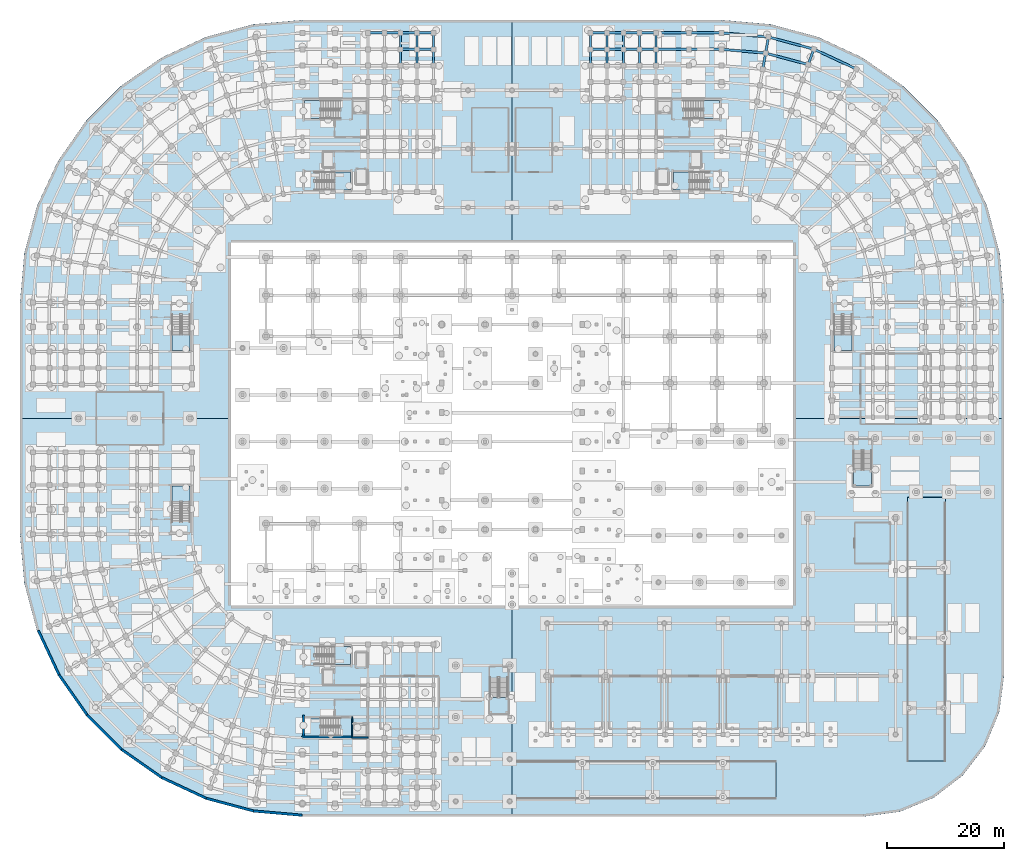
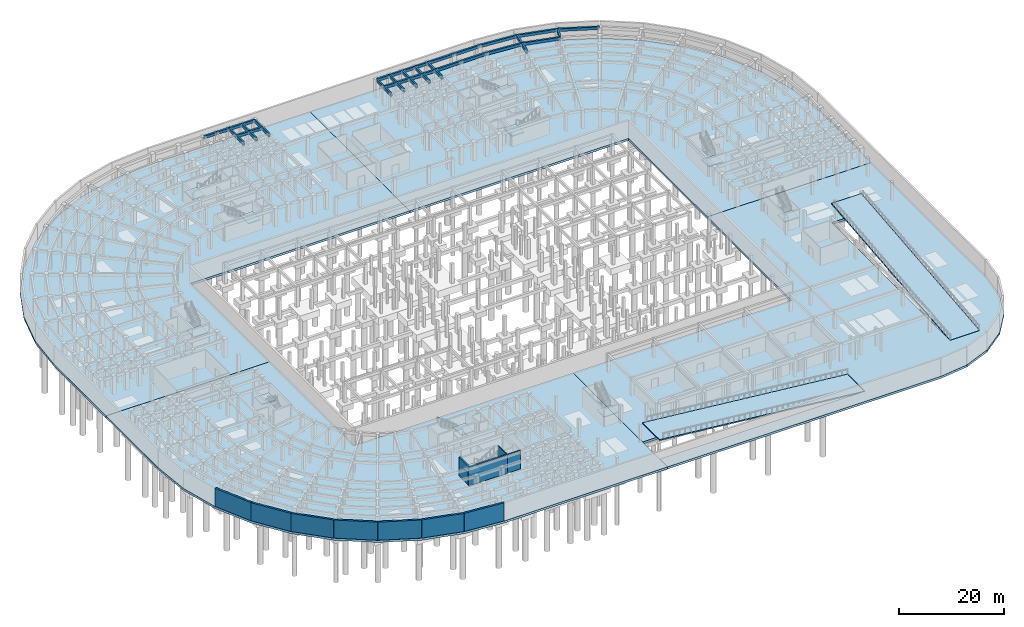
# One storey, part 29 of 53: 42 beams, 17 slabs, 11 walls, 11 elements without a shape of their own.
"""IFC4 building model written with IfcOpenShell, lengths in metres."""

from ifc_helpers import new_model, si_unit, direction, frame, frame_2d, origin, origin_2d, place, context, subcontext, project, spatial, polyline, rectangle, outline, extrude, material, layer, layer_set, material_profile, profile_set, type_object, element, aggregate, save


model = new_model("IFC4")

# Units and contexts
model_context = context("Model", 3, precision=1e-05, world=origin(), true_north=direction((0.0, 1.0)))
body_context = subcontext(model_context, "Body", "Model", "MODEL_VIEW")
ifc_project = project(units=[si_unit("LENGTHUNIT", "METRE"), si_unit("AREAUNIT", "SQUARE_METRE"), si_unit("VOLUMEUNIT", "CUBIC_METRE"), si_unit("PLANEANGLEUNIT", "RADIAN"), si_unit("MASSUNIT", "GRAM", prefix="KILO")], contexts=[model_context])

# Site, building, storey
site_placement = place(None, origin())
site = spatial("IfcSite", under=ifc_project, at=site_placement, CompositionType="ELEMENT")
building_placement = place(site_placement, origin())
building = spatial("IfcBuilding", under=site, at=building_placement, Name="Kiranvali Square Residences", CompositionType="ELEMENT")
storey_placement = place(building_placement, frame((0.0, 0.0, -4.5)))
storey = spatial("IfcBuildingStorey", under=building, at=storey_placement, Name="B1", CompositionType="ELEMENT", Elevation=-4.5)

# Beams
ifc_material_1 = material(Name="Concrete M40 (40 MPa)", Category="concrete")
ifc_material_profile_1 = material_profile(ifc_material_1, rectangle(XDim=0.35009765625, YDim=0.64990234375, at=origin_2d()), Name="RC 350x650")
ifc_profile_set_1 = profile_set([ifc_material_profile_1], Name="Concrete M40 (40 MPa)")
beam_type_1 = type_object("IfcBeamType", Name="BM-M40-350x650", PredefinedType="BEAM", material=ifc_profile_set_1)
for number, where, z_axis, x_axis, name in (
    (1, (65.0, 128.199951171875, 3.955078125), (0.0, 1.0, 0.0), (-1.0, 0.0, 0.0), "B1 beam BM-A-B1-A1T3-56"),
    (2, (65.0, 131.0, 3.955078125), (0.0, 1.0, 0.0), (-1.0, 0.0, 0.0), "B1 beam BM-A-B1-A1T3-67"),
    (3, (67.800048828125, 128.199951171875, 3.955078125), (0.0, 1.0, 0.0), (-1.0, 0.0, 0.0), "B1 beam BM-A-B1-A1T4-56"),
    (4, (67.800048828125, 131.0, 3.955078125), (0.0, 1.0, 0.0), (-1.0, 0.0, 0.0), "B1 beam BM-A-B1-A1T4-67"),
    (5, (70.60009765625, 128.199951171875, 3.955078125), (0.0, 1.0, 0.0), (-1.0, 0.0, 0.0), "B1 beam BM-A-B1-A1T5-56"),
    (6, (70.60009765625, 131.0, 3.955078125), (0.0, 1.0, 0.0), (-1.0, 0.0, 0.0), "B1 beam BM-A-B1-A1T5-67"),
    (7, (108.60009765625, 128.199951171875, 3.955078125), (0.0, 1.0, 0.0), (-1.0, 0.0, 0.0), "B1 beam BM-B-B1-A1T1-56"),
    (8, (108.60009765625, 131.0, 3.955078125), (0.0, 1.0, 0.0), (-1.0, 0.0, 0.0), "B1 beam BM-B-B1-A1T1-67"),
    (9, (105.800048828125, 128.199951171875, 3.955078125), (0.0, 1.0, 0.0), (-1.0, 0.0, 0.0), "B1 beam BM-B-B1-A1T2-56"),
    (10, (105.800048828125, 131.0, 3.955078125), (0.0, 1.0, 0.0), (-1.0, 0.0, 0.0), "B1 beam BM-B-B1-A1T2-67"),
    (11, (103.0, 128.199951171875, 3.955078125), (0.0, 1.0, 0.0), (-1.0, 0.0, 0.0), "B1 beam BM-B-B1-A1T3-56"),
    (12, (103.0, 131.0, 3.955078125), (0.0, 1.0, 0.0), (-1.0, 0.0, 0.0), "B1 beam BM-B-B1-A1T3-67"),
    (13, (100.199951171875, 128.199951171875, 3.955078125), (0.0, 1.0, 0.0), (-1.0, 0.0, 0.0), "B1 beam BM-B-B1-A1T4-56"),
    (14, (100.199951171875, 131.0, 3.955078125), (0.0, 1.0, 0.0), (-1.0, 0.0, 0.0), "B1 beam BM-B-B1-A1T4-67"),
    (15, (97.39990234375, 128.199951171875, 3.955078125), (0.0, 1.0, 0.0), (-1.0, 0.0, 0.0), "B1 beam BM-B-B1-A1T5-56"),
    (16, (97.39990234375, 131.0, 3.955078125), (0.0, 1.0, 0.0), (-1.0, 0.0, 0.0), "B1 beam BM-B-B1-A1T5-67"),
):
    element("IfcBeam", number, at=place(storey_placement, frame(where, z_axis=z_axis, x_axis=x_axis)), inside=storey, type_object=beam_type_1, Name=name, PredefinedType="BEAM", context=body_context, shape_type="SweptSolid", body=[
        extrude(rectangle(XDim=0.35009765625, YDim=0.64990234375, at=origin_2d()), origin(), (0.0, 0.0, 1.0), 2.800048828125),
    ])
ifc_material_2 = material(Name="Concrete M45 (45 MPa)", Category="concrete")
ifc_material_profile_2 = material_profile(ifc_material_2, rectangle(XDim=0.39990234375, YDim=0.64990234375, at=origin_2d()), Name="RC 400x650")
ifc_profile_set_2 = profile_set([ifc_material_profile_2], Name="Concrete M45 (45 MPa)")
beam_type_2 = type_object("IfcBeamType", Name="BM-M45-400x650", PredefinedType="BEAM", material=ifc_profile_set_2)
for number, where, z_axis, x_axis, name in (
    (17, (65.0, 131.0, 3.955078125), (1.0, 0.0, 0.0), (0.0, 1.0, 0.0), "B1 beam BM-A-B1-A1U4-R6"),
    (18, (67.800048828125, 131.0, 3.955078125), (1.0, 0.0, 0.0), (0.0, 1.0, 0.0), "B1 beam BM-A-B1-A1U5-R6"),
    (19, (59.39990234375, 133.800048828125, 3.955078125), (1.0, 0.0, 0.0), (0.0, 1.0, 0.0), "B1 beam BM-A-B1-A1U2-R7"),
    (20, (62.199951171875, 133.800048828125, 3.955078125), (1.0, 0.0, 0.0), (0.0, 1.0, 0.0), "B1 beam BM-A-B1-A1U3-R7"),
    (21, (65.0, 133.800048828125, 3.955078125), (1.0, 0.0, 0.0), (0.0, 1.0, 0.0), "B1 beam BM-A-B1-A1U4-R7"),
    (22, (67.800048828125, 133.800048828125, 3.955078125), (1.0, 0.0, 0.0), (0.0, 1.0, 0.0), "B1 beam BM-A-B1-A1U5-R7"),
):
    element("IfcBeam", number, at=place(storey_placement, frame(where, z_axis=z_axis, x_axis=x_axis)), inside=storey, type_object=beam_type_2, Name=name, PredefinedType="BEAM", context=body_context, shape_type="SweptSolid", body=[
        extrude(rectangle(XDim=0.39990234375, YDim=0.64990234375, at=origin_2d()), origin(), (0.0, 0.0, 1.0), 2.800048828125),
    ])
beam_1_placement = place(storey_placement, frame((119.800048828125, 131.0, 3.955078125), z_axis=(0.996195195417, -0.087150058103, 0.0), x_axis=(0.087150058103, 0.996195195417, 0.0)))
element("IfcBeam", 23, at=beam_1_placement, inside=storey, type_object=beam_type_2, Name="B1 beam BM-B-B1-C00-R6", PredefinedType="BEAM", context=body_context, shape_type="SweptSolid", body=[
    extrude(rectangle(XDim=0.39990234375, YDim=0.64990234375, at=origin_2d()), origin(), (0.0, 0.0, 1.0), 7.530029296875),
])
beam_2_placement = place(storey_placement, frame((119.800048828125, 133.800048828125, 3.955078125), z_axis=(0.996193254792, -0.087172238171, 0.0), x_axis=(0.087172238171, 0.996193254792, 0.0)))
element("IfcBeam", 24, at=beam_2_placement, inside=storey, type_object=beam_type_2, Name="B1 beam BM-B-B1-C00-R7", PredefinedType="BEAM", context=body_context, shape_type="SweptSolid", body=[
    extrude(rectangle(XDim=0.39990234375, YDim=0.64990234375, at=origin_2d()), origin(), (0.0, 0.0, 1.0), 8.018310546875),
])
beam_3_placement = place(storey_placement, frame((127.301513671875, 130.34375, 3.955078125), z_axis=(0.965925909693, -0.258818733833, 0.0), x_axis=(0.258818733833, 0.965925909693, 0.0)))
element("IfcBeam", 25, at=beam_3_placement, inside=storey, type_object=beam_type_2, Name="B1 beam BM-B-B1-C01-R6", PredefinedType="BEAM", context=body_context, shape_type="SweptSolid", body=[
    extrude(rectangle(XDim=0.39990234375, YDim=0.64990234375, at=origin_2d()), origin(), (0.0, 0.0, 1.0), 7.5302734375),
])
for number, where, z_axis, x_axis, name in (
    (26, (127.787841796875, 133.10107421875, 3.955078125), (0.96592902462, -0.258807108475, 0.0), (0.258807108475, 0.96592902462, 0.0), "B1 beam BM-B-B1-C01-R7"),
    (27, (135.532958984375, 131.02587890625, 3.955078125), (0.906309113636, -0.422615416827, 0.0), (0.422615416827, 0.906309113636, 0.0), "B1 beam BM-B-B1-C02-R7"),
):
    element("IfcBeam", number, at=place(storey_placement, frame(where, z_axis=z_axis, x_axis=x_axis)), inside=storey, type_object=beam_type_2, Name=name, PredefinedType="BEAM", context=body_context, shape_type="SweptSolid", body=[
        extrude(rectangle(XDim=0.39990234375, YDim=0.64990234375, at=origin_2d()), origin(), (0.0, 0.0, 1.0), 8.018310546875),
    ])
beam_4_placement = place(storey_placement, frame((126.8154296875, 127.586181640625, 3.955078125), z_axis=(0.173596320392, 0.984816895441, 0.0), x_axis=(-0.984816895441, 0.173596320392, 0.0)))
element("IfcBeam", 28, at=beam_4_placement, inside=storey, type_object=beam_type_2, Name="B1 beam BM-B-B1-RAD01-56", PredefinedType="BEAM", context=body_context, shape_type="SweptSolid", body=[
    extrude(rectangle(XDim=0.39990234375, YDim=0.64990234375, at=origin_2d()), origin(), (0.0, 0.0, 1.0), 2.800048828125),
])
beam_5_placement = place(storey_placement, frame((127.301513671875, 130.34375, 3.955078125), z_axis=(0.173695795656, 0.984799355489, 0.0), x_axis=(-0.984799355489, 0.173695795656, 0.0)))
element("IfcBeam", 29, at=beam_5_placement, inside=storey, type_object=beam_type_2, Name="B1 beam BM-B-B1-RAD01-67", PredefinedType="BEAM", context=body_context, shape_type="SweptSolid", body=[
    extrude(rectangle(XDim=0.39990234375, YDim=0.64990234375, at=origin_2d()), origin(), (0.0, 0.0, 1.0), 2.7998046875),
])
beam_6_placement = place(storey_placement, frame((134.5751953125, 128.394775390625, 3.955078125), z_axis=(0.342058084236, 0.939678810556, 0.0), x_axis=(-0.939678810556, 0.342058084236, 0.0)))
element("IfcBeam", 30, at=beam_6_placement, inside=storey, type_object=beam_type_2, Name="B1 beam BM-B-B1-RAD02-67", PredefinedType="BEAM", context=body_context, shape_type="SweptSolid", body=[
    extrude(rectangle(XDim=0.39990234375, YDim=0.64990234375, at=origin_2d()), origin(), (0.0, 0.0, 1.0), 2.800048828125),
])
beam_7_placement = place(storey_placement, frame((119.800048828125, 131.0, 3.955078125), z_axis=(-1.0, 0.0, 0.0), x_axis=(0.0, -1.0, 0.0)))
element("IfcBeam", 31, at=beam_7_placement, inside=storey, type_object=beam_type_2, Name="B1 beam BM-B-B1-A1U0-R6", PredefinedType="BEAM", context=body_context, shape_type="SweptSolid", body=[
    extrude(rectangle(XDim=0.39990234375, YDim=0.64990234375, at=origin_2d()), origin(), (0.0, 0.0, 1.0), 5.60009765625),
])
beam_8_placement = place(storey_placement, frame((114.199951171875, 131.0, 3.955078125), z_axis=(-1.0, 0.0, 0.0), x_axis=(0.0, -1.0, 0.0)))
element("IfcBeam", 32, at=beam_8_placement, inside=storey, type_object=beam_type_2, Name="B1 beam BM-B-B1-A1U1-R6", PredefinedType="BEAM", context=body_context, shape_type="SweptSolid", body=[
    extrude(rectangle(XDim=0.39990234375, YDim=0.64990234375, at=origin_2d()), origin(), (0.0, 0.0, 1.0), 5.599853515625),
])
for number, where, z_axis, x_axis, name in (
    (33, (108.60009765625, 131.0, 3.955078125), (-1.0, 0.0, 0.0), (0.0, -1.0, 0.0), "B1 beam BM-B-B1-A1U2-R6"),
    (34, (105.800048828125, 131.0, 3.955078125), (-1.0, 0.0, 0.0), (0.0, -1.0, 0.0), "B1 beam BM-B-B1-A1U3-R6"),
    (35, (103.0, 131.0, 3.955078125), (-1.0, 0.0, 0.0), (0.0, -1.0, 0.0), "B1 beam BM-B-B1-A1U4-R6"),
    (36, (100.199951171875, 131.0, 3.955078125), (-1.0, 0.0, 0.0), (0.0, -1.0, 0.0), "B1 beam BM-B-B1-A1U5-R6"),
):
    element("IfcBeam", number, at=place(storey_placement, frame(where, z_axis=z_axis, x_axis=x_axis)), inside=storey, type_object=beam_type_2, Name=name, PredefinedType="BEAM", context=body_context, shape_type="SweptSolid", body=[
        extrude(rectangle(XDim=0.39990234375, YDim=0.64990234375, at=origin_2d()), origin(), (0.0, 0.0, 1.0), 2.800048828125),
    ])
beam_9_placement = place(storey_placement, frame((119.800048828125, 133.800048828125, 3.955078125), z_axis=(-1.0, 0.0, 0.0), x_axis=(0.0, -1.0, 0.0)))
element("IfcBeam", 37, at=beam_9_placement, inside=storey, type_object=beam_type_2, Name="B1 beam BM-B-B1-A1U0-R7", PredefinedType="BEAM", context=body_context, shape_type="SweptSolid", body=[
    extrude(rectangle(XDim=0.39990234375, YDim=0.64990234375, at=origin_2d()), origin(), (0.0, 0.0, 1.0), 5.60009765625),
])
beam_10_placement = place(storey_placement, frame((114.199951171875, 133.800048828125, 3.955078125), z_axis=(-1.0, 0.0, 0.0), x_axis=(0.0, -1.0, 0.0)))
element("IfcBeam", 38, at=beam_10_placement, inside=storey, type_object=beam_type_2, Name="B1 beam BM-B-B1-A1U1-R7", PredefinedType="BEAM", context=body_context, shape_type="SweptSolid", body=[
    extrude(rectangle(XDim=0.39990234375, YDim=0.64990234375, at=origin_2d()), origin(), (0.0, 0.0, 1.0), 5.599853515625),
])
for number, where, z_axis, x_axis, name in (
    (39, (108.60009765625, 133.800048828125, 3.955078125), (-1.0, 0.0, 0.0), (0.0, -1.0, 0.0), "B1 beam BM-B-B1-A1U2-R7"),
    (40, (105.800048828125, 133.800048828125, 3.955078125), (-1.0, 0.0, 0.0), (0.0, -1.0, 0.0), "B1 beam BM-B-B1-A1U3-R7"),
    (41, (103.0, 133.800048828125, 3.955078125), (-1.0, 0.0, 0.0), (0.0, -1.0, 0.0), "B1 beam BM-B-B1-A1U4-R7"),
    (42, (100.199951171875, 133.800048828125, 3.955078125), (-1.0, 0.0, 0.0), (0.0, -1.0, 0.0), "B1 beam BM-B-B1-A1U5-R7"),
):
    element("IfcBeam", number, at=place(storey_placement, frame(where, z_axis=z_axis, x_axis=x_axis)), inside=storey, type_object=beam_type_2, Name=name, PredefinedType="BEAM", context=body_context, shape_type="SweptSolid", body=[
        extrude(rectangle(XDim=0.39990234375, YDim=0.64990234375, at=origin_2d()), origin(), (0.0, 0.0, 1.0), 2.800048828125),
    ])

# Slabs
ifc_layer_1 = layer(ifc_material_1, 0.5)
ifc_layer_set_1 = layer_set([ifc_layer_1], Name="Concrete M40 (40 MPa)")
slab_type_1 = type_object("IfcSlabType", Name="SLB-BASE-500", PredefinedType="BASESLAB", material=ifc_layer_set_1)
slab_1_placement = place(storey_placement, frame((0.0, 0.0, -0.5)))
element("IfcSlab", 43, at=slab_1_placement, inside=storey, type_object=slab_type_1, Name="Shaped basement B1 base slab SLB-B1-SW", PredefinedType="BASESLAB", context=body_context, shape_type="SweptSolid", body=[
    extrude(outline(polyline([(48.199951171875, 0.0), (39.830078125, 0.732177734375), (31.714599609375, 2.90673828125), (24.10009765625, 6.45751953125), (17.217529296875, 11.276611328125), (11.276611328125, 17.217529296875), (6.45751953125, 24.10009765625), (2.90673828125, 31.714599609375), (0.732177734375, 39.830078125), (0.0, 48.199951171875), (0.0, 68.0), (36.0, 68.0), (36.0, 36.0), (84.0, 36.0), (84.0, 9.5), (84.0, 3.0), (84.0, 0.0), (48.199951171875, 0.0)])), origin(), (0.0, 0.0, 1.0), 0.5),
])
slab_2_placement = place(storey_placement, frame((0.0, 0.0, -0.5)))
element("IfcSlab", 44, at=slab_2_placement, inside=storey, type_object=slab_type_1, Name="Shaped basement B1 base slab SLB-B1-SE", PredefinedType="BASESLAB", context=body_context, shape_type="SweptSolid", body=[
    extrude(outline(polyline([(168.0, 24.0), (167.18212890625, 17.788330078125), (164.78466796875, 12.0), (160.970458984375, 7.029541015625), (156.0, 3.21533203125), (150.211669921875, 0.81787109375), (144.0, 0.0), (84.0, 0.0), (84.0, 3.0), (129.034912109375, 3.0), (129.034912109375, 9.5), (84.0, 9.5), (84.0, 36.0), (132.0, 36.0), (132.0, 68.0), (168.0, 68.0), (168.0, 24.0)]), holes=[polyline([(158.0, 9.465087890625), (158.0, 54.5), (151.5, 54.5), (151.5, 9.465087890625), (158.0, 9.465087890625)])]), origin(), (0.0, 0.0, 1.0), 0.5),
])
slab_3_placement = place(storey_placement, frame((0.0, 0.0, -0.5)))
element("IfcSlab", 45, at=slab_3_placement, inside=storey, type_object=slab_type_1, Name="Shaped basement B1 base slab SLB-B1-NE", PredefinedType="BASESLAB", context=body_context, shape_type="SweptSolid", body=[
    extrude(outline(polyline([(119.800048828125, 136.0), (128.169921875, 135.267822265625), (136.285400390625, 133.09326171875), (143.89990234375, 129.54248046875), (150.782470703125, 124.723388671875), (156.723388671875, 118.782470703125), (161.54248046875, 111.89990234375), (165.09326171875, 104.285400390625), (167.267822265625, 96.169921875), (168.0, 87.800048828125), (168.0, 68.0), (132.0, 68.0), (132.0, 98.0), (84.0, 98.0), (84.0, 136.0), (119.800048828125, 136.0)])), origin(), (0.0, 0.0, 1.0), 0.5),
])
slab_4_placement = place(storey_placement, frame((0.0, 0.0, -0.5)))
element("IfcSlab", 46, at=slab_4_placement, inside=storey, type_object=slab_type_1, Name="Shaped basement B1 base slab SLB-B1-NW", PredefinedType="BASESLAB", context=body_context, shape_type="SweptSolid", body=[
    extrude(outline(polyline([(0.732177734375, 96.169921875), (2.90673828125, 104.285400390625), (6.45751953125, 111.89990234375), (11.276611328125, 118.782470703125), (17.217529296875, 124.723388671875), (24.10009765625, 129.54248046875), (31.714599609375, 133.09326171875), (39.830078125, 135.267822265625), (48.199951171875, 136.0), (84.0, 136.0), (84.0, 98.0), (36.0, 98.0), (36.0, 68.0), (0.0, 68.0), (0.0, 87.800048828125), (0.732177734375, 96.169921875)])), origin(), (0.0, 0.0, 1.0), 0.5),
])

# Stair, slab
ifc_material_3 = material(Name="Concrete M35 (35 MPa)", Category="concrete")
stair_type = type_object("IfcStairType", Name="ST-CORE-1700", PredefinedType="HALF_TURN_STAIR", material=ifc_material_3)
stair_1_placement = place(storey_placement, origin())
stair_1 = element("IfcStair", 47, at=stair_1_placement, inside=storey, type_object=stair_type, Name="B1 Block A Firefighting Exit Stair 1", PredefinedType="HALF_TURN_STAIR")
ifc_layer_2 = layer(ifc_material_3, 0.199951171875)
ifc_layer_set_2 = layer_set([ifc_layer_2], Name="Concrete M35 (35 MPa)")
slab_type_2 = type_object("IfcSlabType", Name="SLB-LND-200", PredefinedType="LANDING", material=ifc_layer_set_2)
slab_5_placement = place(storey_placement, frame((0.0, 0.0, 2.050048828125)))
slab_5 = element("IfcSlab", 48, at=slab_5_placement, type_object=slab_type_2, Name="ST-A1 landing 1", PredefinedType="LANDING", context=body_context, shape_type="SweptSolid", body=[
    extrude(outline(polyline([(51.280029296875, 122.25), (48.550048828125, 122.25), (48.550048828125, 119.14990234375), (51.280029296875, 119.14990234375), (51.280029296875, 122.25)])), origin(), (0.0, 0.0, 1.0), 0.199951171875),
])
aggregate(stair_1, [slab_5])

stair_2_placement = place(storey_placement, origin())
stair_2 = element("IfcStair", 49, at=stair_2_placement, inside=storey, type_object=stair_type, Name="B1 Block A Protected Exit Stair 2", PredefinedType="HALF_TURN_STAIR")
slab_6_placement = place(storey_placement, frame((0.0, 0.0, 2.050048828125)))
slab_6 = element("IfcSlab", 50, at=slab_6_placement, type_object=slab_type_2, Name="ST-A2 landing 1", PredefinedType="LANDING", context=body_context, shape_type="SweptSolid", body=[
    extrude(outline(polyline([(53.719970703125, 106.949951171875), (56.449951171875, 106.949951171875), (56.449951171875, 110.050048828125), (53.719970703125, 110.050048828125), (53.719970703125, 106.949951171875)])), origin(), (0.0, 0.0, 1.0), 0.199951171875),
])
aggregate(stair_2, [slab_6])

stair_3_placement = place(storey_placement, origin())
stair_3 = element("IfcStair", 51, at=stair_3_placement, inside=storey, type_object=stair_type, Name="B1 Block A Wing Protected Exit Stair 3", PredefinedType="HALF_TURN_STAIR")
slab_7_placement = place(storey_placement, frame((0.0, 0.0, 2.050048828125)))
slab_7 = element("IfcSlab", 52, at=slab_7_placement, type_object=slab_type_2, Name="ST-A3 landing 1", PredefinedType="LANDING", context=body_context, shape_type="SweptSolid", body=[
    extrude(outline(polyline([(25.949951171875, 82.280029296875), (25.949951171875, 79.550048828125), (29.050048828125, 79.550048828125), (29.050048828125, 82.280029296875), (25.949951171875, 82.280029296875)])), origin(), (0.0, 0.0, 1.0), 0.199951171875),
])
aggregate(stair_3, [slab_7])

stair_4_placement = place(storey_placement, origin())
stair_4 = element("IfcStair", 53, at=stair_4_placement, inside=storey, type_object=stair_type, Name="B1 Block B Firefighting Exit Stair 1", PredefinedType="HALF_TURN_STAIR")
slab_8_placement = place(storey_placement, frame((0.0, 0.0, 2.050048828125)))
slab_8 = element("IfcSlab", 54, at=slab_8_placement, type_object=slab_type_2, Name="ST-B1 landing 1", PredefinedType="LANDING", context=body_context, shape_type="SweptSolid", body=[
    extrude(outline(polyline([(116.719970703125, 119.14990234375), (119.449951171875, 119.14990234375), (119.449951171875, 122.25), (116.719970703125, 122.25), (116.719970703125, 119.14990234375)])), origin(), (0.0, 0.0, 1.0), 0.199951171875),
])
aggregate(stair_4, [slab_8])

stair_5_placement = place(storey_placement, origin())
stair_5 = element("IfcStair", 55, at=stair_5_placement, inside=storey, type_object=stair_type, Name="B1 Block B Protected Exit Stair 2", PredefinedType="HALF_TURN_STAIR")
slab_9_placement = place(storey_placement, frame((0.0, 0.0, 2.050048828125)))
slab_9 = element("IfcSlab", 56, at=slab_9_placement, type_object=slab_type_2, Name="ST-B2 landing 1", PredefinedType="LANDING", context=body_context, shape_type="SweptSolid", body=[
    extrude(outline(polyline([(114.280029296875, 110.050048828125), (111.550048828125, 110.050048828125), (111.550048828125, 106.949951171875), (114.280029296875, 106.949951171875), (114.280029296875, 110.050048828125)])), origin(), (0.0, 0.0, 1.0), 0.199951171875),
])
aggregate(stair_5, [slab_9])

stair_6_placement = place(storey_placement, origin())
stair_6 = element("IfcStair", 57, at=stair_6_placement, inside=storey, type_object=stair_type, Name="B1 Block B Wing Protected Exit Stair 3", PredefinedType="HALF_TURN_STAIR")
slab_10_placement = place(storey_placement, frame((0.0, 0.0, 2.050048828125)))
slab_10 = element("IfcSlab", 58, at=slab_10_placement, type_object=slab_type_2, Name="ST-B3 landing 1", PredefinedType="LANDING", context=body_context, shape_type="SweptSolid", body=[
    extrude(outline(polyline([(138.949951171875, 82.280029296875), (138.949951171875, 79.550048828125), (142.050048828125, 79.550048828125), (142.050048828125, 82.280029296875), (138.949951171875, 82.280029296875)])), origin(), (0.0, 0.0, 1.0), 0.199951171875),
])
aggregate(stair_6, [slab_10])

stair_7_placement = place(storey_placement, origin())
stair_7 = element("IfcStair", 59, at=stair_7_placement, inside=storey, type_object=stair_type, Name="B1 Block C Firefighting Exit Stair 1", PredefinedType="HALF_TURN_STAIR")
slab_11_placement = place(storey_placement, frame((0.0, 0.0, 2.050048828125)))
slab_11 = element("IfcSlab", 60, at=slab_11_placement, type_object=slab_type_2, Name="ST-C1 landing 1", PredefinedType="LANDING", context=body_context, shape_type="SweptSolid", body=[
    extrude(outline(polyline([(51.280029296875, 16.85009765625), (48.550048828125, 16.85009765625), (48.550048828125, 13.75), (51.280029296875, 13.75), (51.280029296875, 16.85009765625)])), origin(), (0.0, 0.0, 1.0), 0.199951171875),
])
aggregate(stair_7, [slab_11])

stair_8_placement = place(storey_placement, origin())
stair_8 = element("IfcStair", 61, at=stair_8_placement, inside=storey, type_object=stair_type, Name="B1 Block C Protected Exit Stair 2", PredefinedType="HALF_TURN_STAIR")
slab_12_placement = place(storey_placement, frame((0.0, 0.0, 2.050048828125)))
slab_12 = element("IfcSlab", 62, at=slab_12_placement, type_object=slab_type_2, Name="ST-C2 landing 1", PredefinedType="LANDING", context=body_context, shape_type="SweptSolid", body=[
    extrude(outline(polyline([(53.719970703125, 25.949951171875), (56.449951171875, 25.949951171875), (56.449951171875, 29.050048828125), (53.719970703125, 29.050048828125), (53.719970703125, 25.949951171875)])), origin(), (0.0, 0.0, 1.0), 0.199951171875),
])
aggregate(stair_8, [slab_12])

stair_9_placement = place(storey_placement, origin())
stair_9 = element("IfcStair", 63, at=stair_9_placement, inside=storey, type_object=stair_type, Name="B1 Block C Wing Protected Exit Stair 3", PredefinedType="HALF_TURN_STAIR")
slab_13_placement = place(storey_placement, frame((0.0, 0.0, 2.050048828125)))
slab_13 = element("IfcSlab", 64, at=slab_13_placement, type_object=slab_type_2, Name="ST-C3 landing 1", PredefinedType="LANDING", context=body_context, shape_type="SweptSolid", body=[
    extrude(outline(polyline([(29.050048828125, 53.719970703125), (29.050048828125, 56.449951171875), (25.949951171875, 56.449951171875), (25.949951171875, 53.719970703125), (29.050048828125, 53.719970703125)])), origin(), (0.0, 0.0, 1.0), 0.199951171875),
])
aggregate(stair_9, [slab_13])

stair_10_placement = place(storey_placement, origin())
stair_10 = element("IfcStair", 65, at=stair_10_placement, inside=storey, type_object=stair_type, Name="B1 South Square Basement Exit Stair P1", PredefinedType="HALF_TURN_STAIR")
slab_14_placement = place(storey_placement, frame((0.0, 0.0, 2.050048828125)))
slab_14 = element("IfcSlab", 66, at=slab_14_placement, type_object=slab_type_2, Name="ST-P1 landing 1", PredefinedType="LANDING", context=body_context, shape_type="SweptSolid", body=[
    extrude(outline(polyline([(80.199951171875, 20.330078125), (80.199951171875, 17.60009765625), (83.300048828125, 17.60009765625), (83.300048828125, 20.330078125), (80.199951171875, 20.330078125)])), origin(), (0.0, 0.0, 1.0), 0.199951171875),
])
aggregate(stair_10, [slab_14])

stair_11_placement = place(storey_placement, origin())
stair_11 = element("IfcStair", 67, at=stair_11_placement, inside=storey, type_object=stair_type, Name="B1 East Street Basement Exit Stair P2", PredefinedType="HALF_TURN_STAIR")
slab_15_placement = place(storey_placement, frame((0.0, 0.0, 2.050048828125)))
slab_15 = element("IfcSlab", 68, at=slab_15_placement, type_object=slab_type_2, Name="ST-P2 landing 1", PredefinedType="LANDING", context=body_context, shape_type="SweptSolid", body=[
    extrude(outline(polyline([(142.300048828125, 59.1298828125), (142.300048828125, 56.39990234375), (145.39990234375, 56.39990234375), (145.39990234375, 59.1298828125), (142.300048828125, 59.1298828125)])), origin(), (0.0, 0.0, 1.0), 0.199951171875),
])
aggregate(stair_11, [slab_15])

# Slabs
ifc_layer_3 = layer(ifc_material_1, 0.280029296875)
ifc_layer_set_3 = layer_set([ifc_layer_3], Name="Concrete M40 (40 MPa)")
slab_type_3 = type_object("IfcSlabType", Name="SLB-VR1-280", PredefinedType="FLOOR", material=ifc_layer_set_3)
slab_16_placement = place(storey_placement, frame((129.0, 3.0, 0.0), z_axis=(0.099503719021, 0.0, 0.99503719021), x_axis=(0.0, 1.0, 0.0)))
element("IfcSlab", 69, at=slab_16_placement, inside=storey, type_object=slab_type_3, Name="Vehicular Car Park Ramp VR-1 Concrete M40 structural slab", PredefinedType="FLOOR", context=body_context, shape_type="SweptSolid", body=[
    extrude(outline(polyline([(0.0, 0.0), (6.5, 0.0), (6.5, 45.224440295044), (0.0, 45.224440295044), (0.0, 0.0)])), origin(), (0.0, 0.0, -1.0), 0.280029296875),
])
ifc_layer_4 = layer(ifc_material_1, 0.280029296875)
ifc_layer_set_4 = layer_set([ifc_layer_4], Name="Concrete M40 (40 MPa)")
slab_type_4 = type_object("IfcSlabType", Name="SLB-VR2-280", PredefinedType="FLOOR", material=ifc_layer_set_4)
slab_17_placement = place(storey_placement, frame((151.5, 9.5, 0.0), z_axis=(0.0, -0.099503719021, 0.99503719021), x_axis=(1.0, 0.0, 0.0)))
element("IfcSlab", 70, at=slab_17_placement, inside=storey, type_object=slab_type_4, Name="Vehicular Car Park Ramp VR-2 Concrete M40 structural slab", PredefinedType="FLOOR", context=body_context, shape_type="SweptSolid", body=[
    extrude(outline(polyline([(0.0, 0.0), (6.5, 0.0), (6.5, 45.224440295044), (0.0, 45.224440295044), (0.0, 0.0)])), origin(), (0.0, 0.0, -1.0), 0.280029296875),
])

# Walls
ifc_layer_5 = layer(ifc_material_1, 0.39990234375)
ifc_layer_set_5 = layer_set([ifc_layer_5], Name="Concrete M40 (40 MPa)")
wall_type_1 = type_object("IfcWallType", Name="WL-RET-400", PredefinedType="USERDEFINED", material=ifc_layer_set_5)
for number, where, z_axis, x_axis, name in (
    (71, (3.12548828125, 31.764404296875, 0.0), (0.0, 0.0, 1.0), (0.422607112374, -0.906312985988, 0.0), "Shaped street-perimeter basement retaining wall 3"),
    (72, (6.6640625, 24.18701171875, 0.0), (0.0, 0.0, 1.0), (0.573598429348, -0.819136644186, 0.0), "Shaped street-perimeter basement retaining wall 4"),
    (73, (11.465087890625, 17.33935546875, 0.0), (0.0, 0.0, 1.0), (0.707106781187, -0.707106781187, 0.0), "Shaped street-perimeter basement retaining wall 5"),
    (74, (17.382080078125, 11.42919921875, 0.0), (0.0, 0.0, 1.0), (0.819136644186, -0.573598429348, 0.0), "Shaped street-perimeter basement retaining wall 6"),
    (75, (24.2353515625, 6.63623046875, 0.0), (0.0, 0.0, 1.0), (0.906312985988, -0.422607112374, 0.0), "Shaped street-perimeter basement retaining wall 7"),
    (76, (31.81689453125, 3.106201171875, 0.0), (0.0, 0.0, 1.0), (0.965925488744, -0.258820304836, 0.0), "Shaped street-perimeter basement retaining wall 8"),
):
    element("IfcWall", number, at=place(storey_placement, frame(where, z_axis=z_axis, x_axis=x_axis)), inside=storey, type_object=wall_type_1, Name=name, ObjectType="RETAINING WALL", PredefinedType="USERDEFINED", context=body_context, shape_type="SweptSolid", body=[
        extrude(rectangle(XDim=8.307373046875, YDim=0.39990234375, at=frame_2d((4.15380859375, 0.0))), origin(), (0.0, 0.0, 1.0), 4.199951171875),
    ])
wall_1_placement = place(storey_placement, frame((39.896240234375, 0.946533203125, 0.0), z_axis=(0.0, 0.0, 1.0), x_axis=(0.996193908887, -0.087164762929, 0.0)))
element("IfcWall", 77, at=wall_1_placement, inside=storey, type_object=wall_type_1, Name="Shaped street-perimeter basement retaining wall 9", ObjectType="RETAINING WALL", PredefinedType="USERDEFINED", context=body_context, shape_type="SweptSolid", body=[
    extrude(rectangle(XDim=8.3076171875, YDim=0.39990234375, at=frame_2d((4.15380859375, 0.0))), origin(), (0.0, 0.0, 1.0), 4.199951171875),
])
ifc_material_4 = material(Name="Autoclaved aerated concrete blockwork masonry", Category="masonry")
ifc_layer_6 = layer(ifc_material_4, 0.199951171875)
ifc_layer_set_6 = layer_set([ifc_layer_6], Name="Autoclaved aerated concrete blockwork masonry")
wall_type_2 = type_object("IfcWallType", Name="WL-SHF-200", PredefinedType="STANDARD", material=ifc_layer_set_6)
wall_2_placement = place(storey_placement, frame((56.699951171875, 17.050048828125, 0.0), z_axis=(0.0, 0.0, 1.0), x_axis=(0.0, -1.0, 0.0)))
element("IfcWall", 78, at=wall_2_placement, inside=storey, type_object=wall_type_2, Name="B1 architectural wall WL-B1-C-FF-SHF", PredefinedType="STANDARD", context=body_context, shape_type="SweptSolid", body=[
    extrude(rectangle(XDim=3.300048828125, YDim=0.199951171875, at=frame_2d((1.64990234375, 0.0))), origin(), (0.0, 0.0, 1.0), 4.179931640625),
])
ifc_layer_7 = layer(ifc_material_2, 0.25)
ifc_layer_set_7 = layer_set([ifc_layer_7], Name="Concrete M45 (45 MPa)")
wall_type_3 = type_object("IfcWallType", Name="WL-SHR-250", PredefinedType="SHEAR", material=ifc_layer_set_7)
wall_3_placement = place(storey_placement, frame((56.64990234375, 13.52490234375, -0.5), z_axis=(0.0, 0.0, 1.0), x_axis=(1.0, 0.0, 0.0)))
element("IfcWall", 79, at=wall_3_placement, inside=storey, type_object=wall_type_3, Name="Block C core shear wall SW-CFF-BK-B1", PredefinedType="SHEAR", context=body_context, shape_type="SweptSolid", body=[
    extrude(rectangle(XDim=2.800048828125, YDim=0.25, at=frame_2d((1.39990234375, 0.0))), origin(), (0.0, 0.0, 1.0), 4.780029296875),
])
ifc_material_5 = material(Name="Concrete M50 (50 MPa)", Category="concrete")
ifc_layer_8 = layer(ifc_material_5, 0.35009765625)
ifc_layer_set_8 = layer_set([ifc_layer_8], Name="Concrete M50 (50 MPa)")
wall_type_4 = type_object("IfcWallType", Name="WL-SHR-350", PredefinedType="SHEAR", material=ifc_layer_set_8)
wall_4_placement = place(storey_placement, frame((48.080078125, 13.574951171875, -0.5), z_axis=(0.0, 0.0, 1.0), x_axis=(1.0, 0.0, 0.0)))
element("IfcWall", 80, at=wall_4_placement, inside=storey, type_object=wall_type_4, Name="Block C core shear wall SW-C1-OUT-B1", PredefinedType="SHEAR", context=body_context, shape_type="SweptSolid", body=[
    extrude(rectangle(XDim=8.544921875, YDim=0.35009765625, at=frame_2d((4.2724609375, 0.0))), origin(), (0.0, 0.0, 1.0), 4.780029296875),
])
wall_5_placement = place(storey_placement, frame((48.375, 17.35009765625, -0.5), z_axis=(0.0, 0.0, 1.0), x_axis=(0.0, -1.0, 0.0)))
element("IfcWall", 81, at=wall_5_placement, inside=storey, type_object=wall_type_4, Name="Block C core shear wall SW-C1-FAR-B1", PredefinedType="SHEAR", context=body_context, shape_type="SweptSolid", body=[
    extrude(rectangle(XDim=3.60009765625, YDim=0.35009765625, at=frame_2d((1.800048828125, 0.0))), origin(), (0.0, 0.0, 1.0), 4.780029296875),
])

save(model, "model.ifc")
